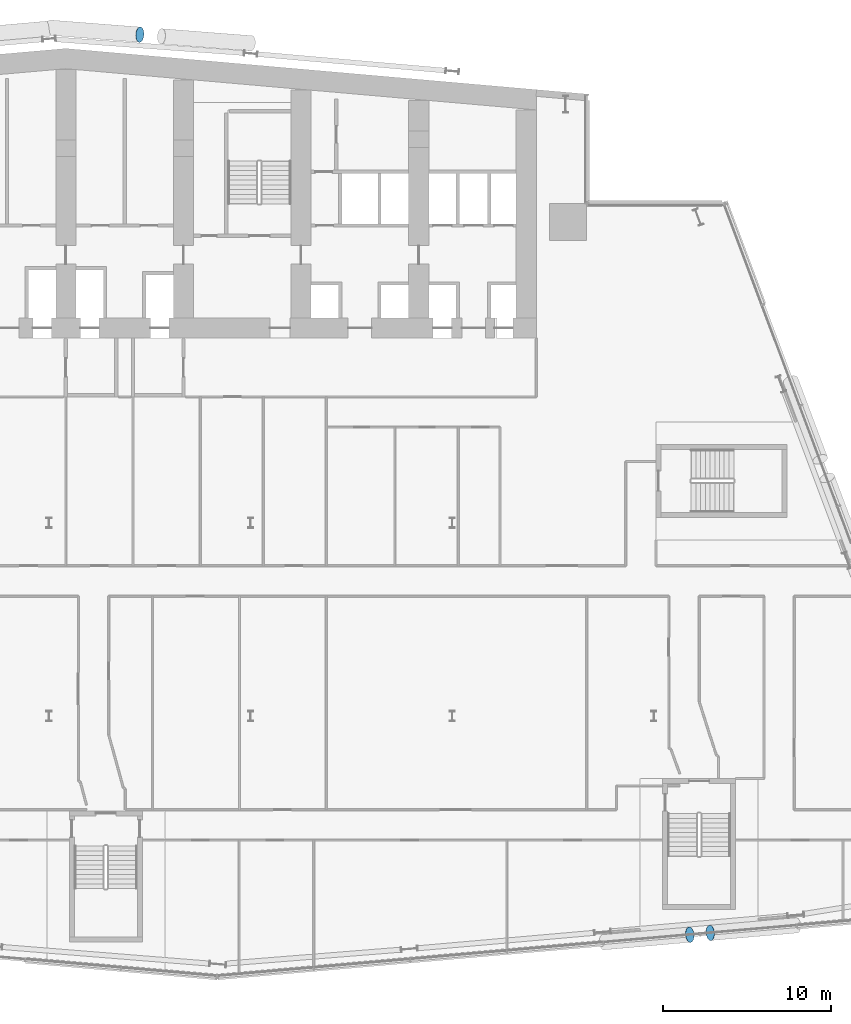
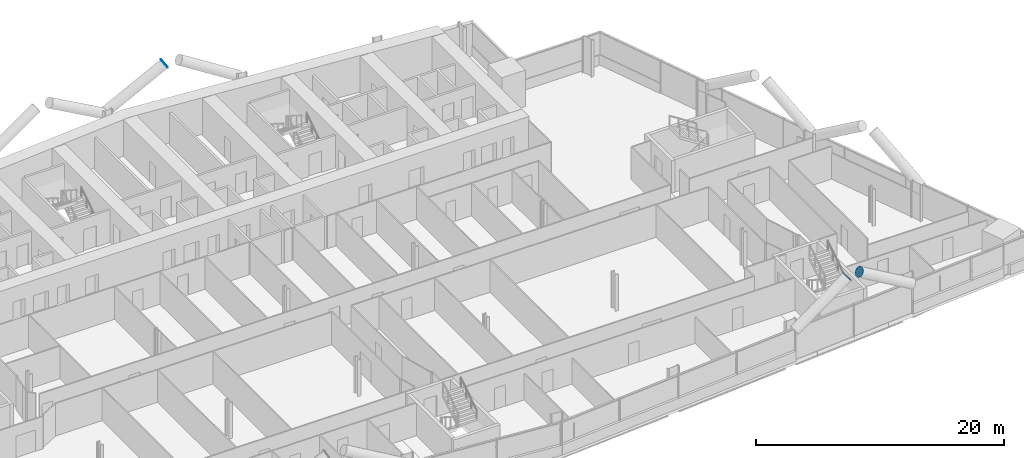
# One storey, part 23 of 28: 3 discrete accessories.
"""IFC4 building model written with IfcOpenShell, lengths in metres."""

from ifc_helpers import new_model, si_unit, direction, frame, origin, origin_2d, place, context, subcontext, project, spatial, circle, extrude, material, material_profile, profile_set, type_object, element, save


model = new_model("IFC4")

# Units and contexts
model_context = context("Model", 3, precision=1e-05, world=origin(), true_north=direction((0.0, 1.0)))
body_context = subcontext(model_context, "Body", "Model", "MODEL_VIEW")
ifc_project = project(units=[si_unit("LENGTHUNIT", "METRE"), si_unit("AREAUNIT", "SQUARE_METRE"), si_unit("VOLUMEUNIT", "CUBIC_METRE"), si_unit("PLANEANGLEUNIT", "RADIAN"), si_unit("MASSUNIT", "GRAM", prefix="KILO")], contexts=[model_context])

# Site, building, storey
site_placement = place(None, origin())
site = spatial("IfcSite", under=ifc_project, at=site_placement, CompositionType="ELEMENT")
building_placement = place(site_placement, origin())
building = spatial("IfcBuilding", under=site, at=building_placement, Name="Wharfspan Tower", CompositionType="ELEMENT")
storey_placement = place(building_placement, frame((0.0, 0.0, 59.5)))
storey = spatial("IfcBuildingStorey", under=building, at=storey_placement, Name="L11", CompositionType="ELEMENT", Elevation=59.5)

# Discrete accessories
ifc_material = material(Name="Steel S460NH", Category="steel")
ifc_material_profile = material_profile(ifc_material, circle(Radius=0.457031, at=origin_2d()))
ifc_profile_set = profile_set([ifc_material_profile], Name="Steel S460NH")
discrete_accessory_type = type_object("IfcDiscreteAccessoryType", Name="End plate CHS 914x40", PredefinedType="BRACKET", material=ifc_profile_set)
for number, where, z_axis, x_axis, name in (
    (1, (74.12915, -1.508301, 6.114258), (0.837276, 0.073877, 0.541767), (-0.087893, 0.996132, -1e-06), "End plate CHS 914x40"),
    (2, (75.361328, -1.400391, 6.114258), (-0.844416, -0.072379, 0.530776), (0.085402, -0.99635, 0.0), "End plate CHS 914x40"),
    (3, (41.396484, 52.060791, 6.109863), (0.856465, -0.048941, 0.513879), (0.05705, 0.998372, 0.0), "End plate CHS 914x40"),
):
    element("IfcDiscreteAccessory", number, at=place(storey_placement, frame(where, z_axis=z_axis, x_axis=x_axis)), inside=storey, type_object=discrete_accessory_type, Name=name, PredefinedType="BRACKET", context=body_context, shape_type="SweptSolid", body=[
        extrude(circle(Radius=0.457031, at=origin_2d()), origin(), (0.0, 0.0, 1.0), 0.01001),
    ])

save(model, "model.ifc")
